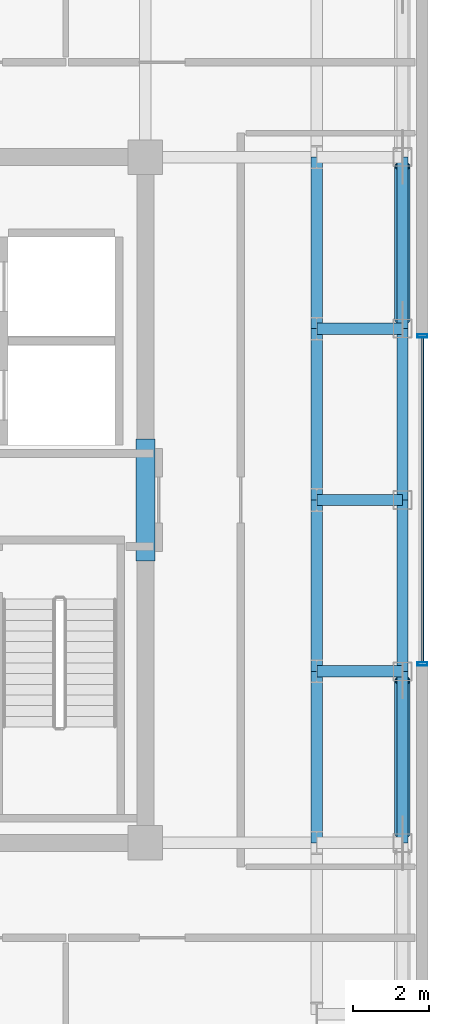
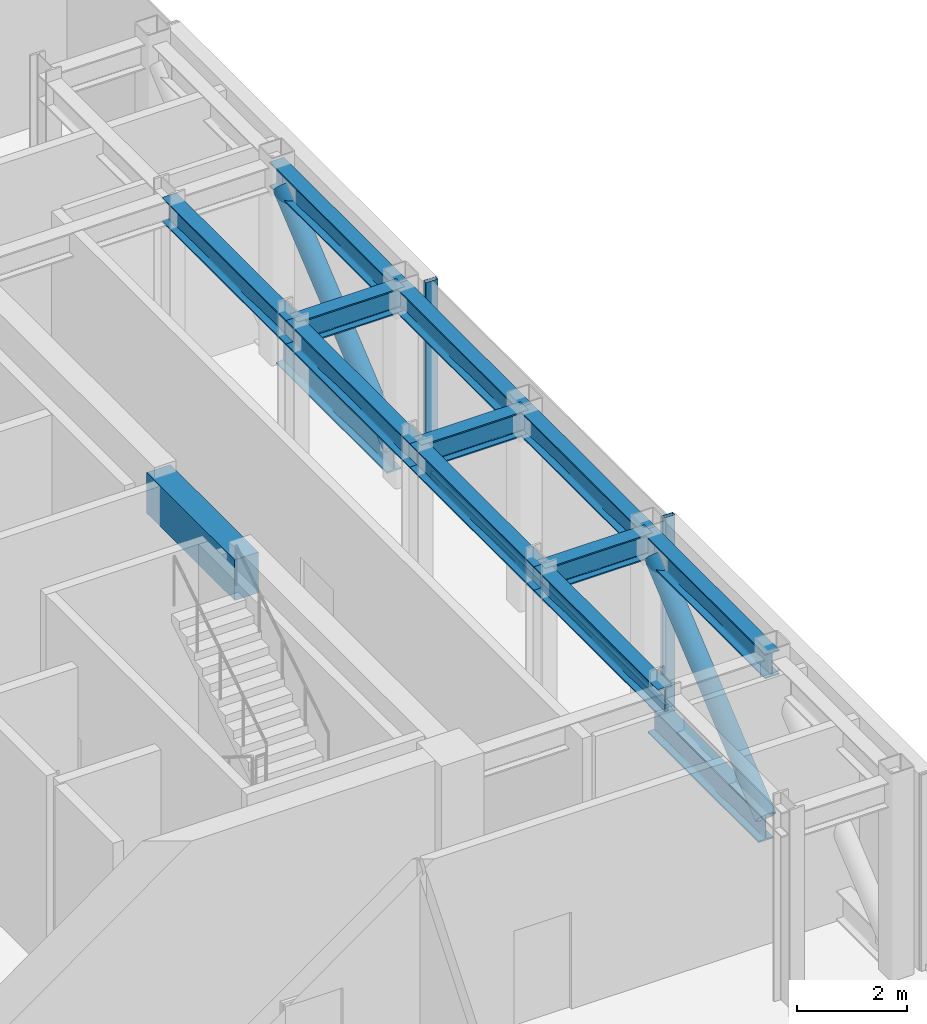
# One storey, part 8 of 18: 12 beams, 7 members, 1 element without a shape of its own.
"""IFC4 building model written with IfcOpenShell, lengths in metres."""

import ifcopenshell
import ifcopenshell.guid

model = None  # the IFC model being written
_history = None  # IfcOwnerHistory: only IFC2X3 demands one
_inside = {}  # id of a spatial element -> (the spatial element, [elements in it])
_under = {}  # id of a project, library or spatial element -> (it, [spatial elements below it])
_declared = {}  # id of a project -> (the project, [libraries it declares])
_typed = {}  # id of a type object -> (the type object, [elements of that type])
_made_of = {}  # id of a material, layer set ... -> (it, [elements and type objects made of it])


def new_model(schema):
    """Start an empty IFC model of exactly this schema.

    Asked for "IFC4X3", IfcOpenShell would pick the latest addendum, in which some entities
    have other attributes; the version numbers below select the first issue.
    IFC2X3 requires an IfcOwnerHistory on every rooted entity: one is made here for all.
    """
    global model, _history
    if schema == "IFC4X3":
        model = ifcopenshell.file(schema_version=(4, 3, 0, 0))
    else:
        model = ifcopenshell.file(schema=schema)
    _inside.clear()
    _under.clear()
    _declared.clear()
    _typed.clear()
    _made_of.clear()
    _history = None
    if model.schema == "IFC2X3":
        org = make("IfcOrganization", Name="unknown")
        user = make(
            "IfcPersonAndOrganization",
            ThePerson=make("IfcPerson", FamilyName="unknown"),
            TheOrganization=org,
        )
        app = make(
            "IfcApplication",
            ApplicationDeveloper=org,
            Version="unknown",
            ApplicationFullName="unknown",
            ApplicationIdentifier="unknown",
        )
        _history = make(
            "IfcOwnerHistory",
            OwningUser=user,
            OwningApplication=app,
            ChangeAction="ADDED",
            CreationDate=0,
        )
    return model


def make(cls, **values):
    """One entity of the class cls with the attributes given. An attribute that is None is left unset."""
    return model.create_entity(
        cls, **{name: value for name, value in values.items() if value is not None}
    )


def rooted(cls, **values):
    """An entity with a GlobalId (a new one), such as an element, a storey or a relation."""
    return make(cls, GlobalId=ifcopenshell.guid.new(), OwnerHistory=_history, **values)


def si_unit(unit_type, name, prefix=None):
    """IfcSIUnit, for example si_unit("LENGTHUNIT", "METRE", prefix="MILLI")."""
    return make("IfcSIUnit", UnitType=unit_type, Prefix=prefix, Name=name)


def assignment(units):
    """IfcUnitAssignment: the units of a project."""
    return None if units is None else make("IfcUnitAssignment", Units=units)


def point(xyz):
    """IfcCartesianPoint."""
    return None if xyz is None else make("IfcCartesianPoint", Coordinates=xyz)


def direction(xyz):
    """IfcDirection."""
    return None if xyz is None else make("IfcDirection", DirectionRatios=xyz)


def frame(location, z_axis=None, x_axis=None):
    """IfcAxis2Placement3D, a coordinate frame: its origin and axes. An axis left out is left unset."""
    return make(
        "IfcAxis2Placement3D",
        Location=point(location),
        Axis=direction(z_axis),
        RefDirection=direction(x_axis),
    )


def frame_2d(location, x_axis=None):
    """IfcAxis2Placement2D, a coordinate frame in the plane: its origin and x axis."""
    return make(
        "IfcAxis2Placement2D", Location=point(location), RefDirection=direction(x_axis)
    )


def origin():
    """The frame at (0, 0, 0) with its axes left unset."""
    return frame((0.0, 0.0, 0.0))


def origin_2d():
    """The frame at (0, 0) in the plane with its x axis left unset."""
    return frame_2d((0.0, 0.0))


def place(relative_to, where):
    """IfcLocalPlacement: puts the frame where relative to a parent placement (None: the world)."""
    return make(
        "IfcLocalPlacement", PlacementRelTo=relative_to, RelativePlacement=where
    )


def context(
    kind, dimensions, precision=None, world=None, true_north=None, identifier=None
):
    """IfcGeometricRepresentationContext, for example the 3D "Model" context."""
    return make(
        "IfcGeometricRepresentationContext",
        ContextIdentifier=identifier,
        ContextType=kind,
        CoordinateSpaceDimension=dimensions,
        Precision=precision,
        WorldCoordinateSystem=world,
        TrueNorth=true_north,
    )


def subcontext(parent, identifier, kind, view, scale=None):
    """IfcGeometricRepresentationSubContext, for example "Body" below "Model"."""
    return make(
        "IfcGeometricRepresentationSubContext",
        ContextIdentifier=identifier,
        ContextType=kind,
        ParentContext=parent,
        TargetScale=scale,
        TargetView=view,
    )


def project(units=None, contexts=None):
    """IfcProject with its units and contexts."""
    return rooted(
        "IfcProject",
        Name="project",
        RepresentationContexts=contexts,
        UnitsInContext=assignment(units),
    )


def spatial(cls, under=None, at=None, **own):
    """A site, building, storey or space (cls), placed at a placement, below another one or the project."""
    s = rooted(cls, ObjectPlacement=at, **own)
    if under is not None:
        _under.setdefault(under.id(), (under, []))[1].append(s)
    return s


def profile(cls, at=None, kind="AREA", **sizes):
    """A parametric profile (cls). Its sizes go by their IFC names, for example OverallWidth=200.0."""
    return make(cls, ProfileType=kind, Position=at, **sizes)


def rectangle(**sizes):
    """IfcRectangleProfileDef."""
    return profile("IfcRectangleProfileDef", **sizes)


def hollow_rectangle(**sizes):
    """IfcRectangleHollowProfileDef."""
    return profile("IfcRectangleHollowProfileDef", **sizes)


def hollow_circle(**sizes):
    """IfcCircleHollowProfileDef."""
    return profile("IfcCircleHollowProfileDef", **sizes)


def i_section(**sizes):
    """IfcIShapeProfileDef."""
    return profile("IfcIShapeProfileDef", **sizes)


def extrude(swept, where, along, depth):
    """IfcExtrudedAreaSolid: the profile swept, set in the frame where, extruded along a direction by depth."""
    return make(
        "IfcExtrudedAreaSolid",
        SweptArea=swept,
        Position=where,
        ExtrudedDirection=direction(along),
        Depth=depth,
    )


def shape(context_of_items, identifier, shape_type, items):
    """IfcShapeRepresentation: the items that make up one representation, for example the "Body"."""
    return make(
        "IfcShapeRepresentation",
        ContextOfItems=context_of_items,
        RepresentationIdentifier=identifier,
        RepresentationType=shape_type,
        Items=items,
    )


def source(mapping_origin, context_of_items, identifier, shape_type, items):
    """IfcRepresentationMap: a shape defined once, which mapped items show again and again."""
    return make(
        "IfcRepresentationMap",
        MappingOrigin=mapping_origin,
        MappedRepresentation=shape(context_of_items, identifier, shape_type, items),
    )


def transform(
    local_origin,
    x_axis=None,
    y_axis=None,
    z_axis=None,
    scale=None,
    scale2=None,
    scale3=None,
    uniform=True,
):
    """IfcCartesianTransformationOperator3D, or its non-uniform kind. x_axis, y_axis, z_axis: its Axis1, 2, 3."""
    if uniform:
        return make(
            "IfcCartesianTransformationOperator3D",
            Axis1=direction(x_axis),
            Axis2=direction(y_axis),
            LocalOrigin=point(local_origin),
            Scale=scale,
            Axis3=direction(z_axis),
        )
    return make(
        "IfcCartesianTransformationOperator3DnonUniform",
        Axis1=direction(x_axis),
        Axis2=direction(y_axis),
        LocalOrigin=point(local_origin),
        Scale=scale,
        Axis3=direction(z_axis),
        Scale2=scale2,
        Scale3=scale3,
    )


def mapped(mapping_source, mapping_target):
    """IfcMappedItem: shows the shape of a source again, moved by a transform."""
    return make(
        "IfcMappedItem", MappingSource=mapping_source, MappingTarget=mapping_target
    )


def material(Name=None, Category=None):
    """IfcMaterial."""
    return make("IfcMaterial", Name=Name, Category=Category)


def layer(
    of_material, thickness, ventilated=None, Name=None, Category=None, Priority=None
):
    """IfcMaterialLayer: one layer of a wall or slab, of a material (None: an air gap)."""
    return make(
        "IfcMaterialLayer",
        Material=of_material,
        LayerThickness=thickness,
        IsVentilated=ventilated,
        Name=Name,
        Category=Category,
        Priority=Priority,
    )


def layer_set(layers, Name=None):
    """IfcMaterialLayerSet."""
    return make("IfcMaterialLayerSet", MaterialLayers=layers, LayerSetName=Name)


def material_profile(
    of_material, cross_section, Name=None, Category=None, Priority=None
):
    """IfcMaterialProfile: a cross section and its material."""
    return make(
        "IfcMaterialProfile",
        Name=Name,
        Material=of_material,
        Profile=cross_section,
        Priority=Priority,
        Category=Category,
    )


def profile_set(profiles, Name=None, composite=None):
    """IfcMaterialProfileSet."""
    return make(
        "IfcMaterialProfileSet",
        Name=Name,
        MaterialProfiles=profiles,
        CompositeProfile=composite,
    )


def made_of(thing, what):
    """Note that an element or type object is made of a material, layer set ...; save() writes the relation."""
    if what is not None:
        _made_of.setdefault(what.id(), (what, []))[1].append(thing)
    return thing


def type_object(cls, material=None, **own):
    """A type object (cls), such as IfcWallType, which elements share."""
    return made_of(rooted(cls, **own), material)


def element(
    cls,
    number,
    at=None,
    inside=None,
    cuts=None,
    type_object=None,
    material=None,
    context=None,
    identifier="Body",
    shape_type=None,
    held_by="IfcProductDefinitionShape",
    body=None,
    shapes=None,
    **own,
):
    """One element of the class cls, such as IfcWall. Its Tag is "e" and its number.

    at: its placement. inside: the storey or other place that contains it. cuts: it is an
    opening in that element (IfcRelVoidsElement). A single representation is given by context,
    identifier, shape_type and body (its items); several are given by shapes. held_by: the class
    of the entity that holds the representations. save() writes the other relations.
    """
    e = rooted(cls, Tag="e%d" % number, ObjectPlacement=at, **own)
    if body is not None:
        shapes = [shape(context, identifier, shape_type, body)]
    if shapes is not None:
        e.Representation = make(held_by, Representations=shapes)
    if inside is not None:
        _inside.setdefault(inside.id(), (inside, []))[1].append(e)
    if cuts is not None:
        rooted(
            "IfcRelVoidsElement", RelatingBuildingElement=cuts, RelatedOpeningElement=e
        )
    if type_object is not None:
        _typed.setdefault(type_object.id(), (type_object, []))[1].append(e)
    return made_of(e, material)


def aggregate(whole, parts):
    """IfcRelAggregates: a whole, such as a stair, and the parts it consists of."""
    return rooted("IfcRelAggregates", RelatingObject=whole, RelatedObjects=parts)


def save(model, path):
    """Write the relations noted so far, then the file.

    IfcRelAggregates (storeys below a building ...), IfcRelContainedInSpatialStructure (elements
    in a storey), IfcRelDefinesByType, IfcRelAssociatesMaterial and IfcRelDeclares: one each for
    every whole, place, type object, material and project.
    """
    for whole, parts in _under.values():
        aggregate(whole, parts)
    for where, things in _inside.values():
        rooted(
            "IfcRelContainedInSpatialStructure",
            RelatedElements=things,
            RelatingStructure=where,
        )
    for kind, things in _typed.values():
        rooted("IfcRelDefinesByType", RelatedObjects=things, RelatingType=kind)
    for what, things in _made_of.values():
        rooted("IfcRelAssociatesMaterial", RelatedObjects=things, RelatingMaterial=what)
    for by, libraries in _declared.values():
        rooted("IfcRelDeclares", RelatingContext=by, RelatedDefinitions=libraries)
    model.write(path)


model = new_model("IFC4")

# Units and contexts
model_context = context("Model", 3, precision=1e-05, world=origin(), true_north=direction((0.0, 1.0)))
body_context = subcontext(model_context, "Body", "Model", "MODEL_VIEW")
ifc_project = project(units=[si_unit("LENGTHUNIT", "METRE"), si_unit("AREAUNIT", "SQUARE_METRE"), si_unit("VOLUMEUNIT", "CUBIC_METRE"), si_unit("PLANEANGLEUNIT", "RADIAN"), si_unit("MASSUNIT", "GRAM", prefix="KILO")], contexts=[model_context])

# Site, building, storey
site_placement = place(None, origin())
site = spatial("IfcSite", under=ifc_project, at=site_placement, CompositionType="ELEMENT")
building_placement = place(site_placement, origin())
building = spatial("IfcBuilding", under=site, at=building_placement, Name="Nefas-Gora Pilgrimage Tower", CompositionType="ELEMENT")
storey_placement = place(building_placement, frame((0.0, 0.0, 317.800048828125)))
storey = spatial("IfcBuildingStorey", under=building, at=storey_placement, Name="L80", CompositionType="ELEMENT", Elevation=317.800048828125)

# Beams
ifc_material_1 = material(Name="Concrete C50/60", Category="concrete")
ifc_material_profile_1 = material_profile(ifc_material_1, rectangle(XDim=0.5, YDim=0.89990234375, at=origin_2d()), Name="RC 500x900")
ifc_profile_set_1 = profile_set([ifc_material_profile_1], Name="Concrete C50/60")
beam_type_1 = type_object("IfcBeamType", Name="BM-LIN-RC900", PredefinedType="LINTEL", material=ifc_profile_set_1)
shared_shape_1 = source(origin(), body_context, "Body", "SweptSolid", [
    extrude(rectangle(XDim=0.5, YDim=0.89990234375, at=origin_2d()), origin(), (0.0, 0.0, 1.0), 3.2001953125),
])
beam_placement = place(storey_placement, frame((11.25, -1.60009765625, 3.89990234375), z_axis=(0.0, 1.0, 0.0), x_axis=(-1.0, 0.0, 0.0)))
element("IfcBeam", 1, at=beam_placement, inside=storey, type_object=beam_type_1, Name="L80 Core Coupling Lintel Beam E", PredefinedType="LINTEL", context=body_context, shape_type="MappedRepresentation", body=[
    mapped(shared_shape_1, transform((0.0, 0.0, 0.0), x_axis=(1.0, 0.0, 0.0), y_axis=(0.0, 1.0, 0.0), z_axis=(0.0, 0.0, 1.0), scale=1.0)),
])
ifc_material_2 = material(Name="Steel S355", Category="steel")
ifc_material_profile_2 = material_profile(ifc_material_2, i_section(OverallWidth=0.300048828125, OverallDepth=0.550048828125, WebThickness=0.014892578125, FlangeThickness=0.029052734375, FilletRadius=0.027099609375, at=origin_2d()), Name="HEB 550")
ifc_profile_set_2 = profile_set([ifc_material_profile_2], Name="Steel S355")
beam_type_2 = type_object("IfcBeamType", Name="BM-SPN-HEB400", PredefinedType="SPANDREL", material=ifc_profile_set_2)
shared_shape_2 = source(origin(), body_context, "Body", "SweptSolid", [
    extrude(i_section(OverallWidth=0.300048828125, OverallDepth=0.550048828125, WebThickness=0.014892578125, FlangeThickness=0.029052734375, FilletRadius=0.027099609375, at=origin_2d()), origin(), (0.0, 0.0, 1.0), 4.5),
])
for number, where, z_axis, x_axis, name in (
    (2, (18.0, -9.0, 4.074951171875), (0.0, 1.0, 0.0), (-1.0, 0.0, 0.0), "L80 SP-04 beam"),
    (3, (18.0, -4.5, 4.074951171875), (0.0, 1.0, 0.0), (-1.0, 0.0, 0.0), "L80 SP-04 beam"),
    (4, (18.0, 0.0, 4.074951171875), (0.0, 1.0, 0.0), (-1.0, 0.0, 0.0), "L80 SP-04 beam"),
    (5, (18.0, 4.5, 4.074951171875), (0.0, 1.0, 0.0), (-1.0, 0.0, 0.0), "L80 SP-04 beam"),
):
    element("IfcBeam", number, at=place(storey_placement, frame(where, z_axis=z_axis, x_axis=x_axis)), inside=storey, type_object=beam_type_2, Name=name, PredefinedType="SPANDREL", context=body_context, shape_type="MappedRepresentation", body=[
        mapped(shared_shape_2, transform((0.0, 0.0, 0.0), x_axis=(1.0, 0.0, 0.0), y_axis=(0.0, 1.0, 0.0), z_axis=(0.0, 0.0, 1.0), scale=1.0)),
    ])
ifc_material_profile_3 = material_profile(ifc_material_2, i_section(OverallWidth=0.300048828125, OverallDepth=0.550048828125, WebThickness=0.014892578125, FlangeThickness=0.029052734375, FilletRadius=0.027099609375, at=origin_2d()), Name="HEB 550")
ifc_profile_set_3 = profile_set([ifc_material_profile_3], Name="Steel S355")
beam_type_3 = type_object("IfcBeamType", Name="BM-GIR-HEB550", PredefinedType="BEAM", material=ifc_profile_set_3)
shared_shape_3 = source(origin(), body_context, "Body", "SweptSolid", [
    extrude(i_section(OverallWidth=0.300048828125, OverallDepth=0.550048828125, WebThickness=0.014892578125, FlangeThickness=0.029052734375, FilletRadius=0.027099609375, at=origin_2d()), origin(), (0.0, 0.0, 1.0), 4.5),
])
for number, where, z_axis, x_axis, name in (
    (6, (15.75, -9.0, 4.074951171875), (0.0, 1.0, 0.0), (-1.0, 0.0, 0.0), "L80 G-05 beam"),
    (7, (15.75, -4.5, 4.074951171875), (0.0, 1.0, 0.0), (-1.0, 0.0, 0.0), "L80 G-05 beam"),
    (8, (15.75, 0.0, 4.074951171875), (0.0, 1.0, 0.0), (-1.0, 0.0, 0.0), "L80 G-05 beam"),
    (9, (15.75, 4.5, 4.074951171875), (0.0, 1.0, 0.0), (-1.0, 0.0, 0.0), "L80 G-05 beam"),
):
    element("IfcBeam", number, at=place(storey_placement, frame(where, z_axis=z_axis, x_axis=x_axis)), inside=storey, type_object=beam_type_3, Name=name, PredefinedType="BEAM", context=body_context, shape_type="MappedRepresentation", body=[
        mapped(shared_shape_3, transform((0.0, 0.0, 0.0), x_axis=(1.0, 0.0, 0.0), y_axis=(0.0, 1.0, 0.0), z_axis=(0.0, 0.0, 1.0), scale=1.0)),
    ])
shared_shape_4 = source(origin(), body_context, "Body", "SweptSolid", [
    extrude(i_section(OverallWidth=0.300048828125, OverallDepth=0.550048828125, WebThickness=0.014892578125, FlangeThickness=0.029052734375, FilletRadius=0.027099609375, at=origin_2d()), origin(), (0.0, 0.0, 1.0), 2.25),
])
for number, where, z_axis, x_axis, name in (
    (10, (15.75, -4.5, 4.074951171875), (1.0, 0.0, 0.0), (0.0, 1.0, 0.0), "L80 G-05 beam"),
    (11, (15.75, 0.0, 4.074951171875), (1.0, 0.0, 0.0), (0.0, 1.0, 0.0), "L80 G-05 beam"),
    (12, (15.75, 4.5, 4.074951171875), (1.0, 0.0, 0.0), (0.0, 1.0, 0.0), "L80 G-05 beam"),
):
    element("IfcBeam", number, at=place(storey_placement, frame(where, z_axis=z_axis, x_axis=x_axis)), inside=storey, type_object=beam_type_3, Name=name, PredefinedType="BEAM", context=body_context, shape_type="MappedRepresentation", body=[
        mapped(shared_shape_4, transform((0.0, 0.0, 0.0), x_axis=(1.0, 0.0, 0.0), y_axis=(0.0, 1.0, 0.0), z_axis=(0.0, 0.0, 1.0), scale=1.0)),
    ])

# Members
ifc_material_3 = material(Name="Steel S460", Category="steel")
ifc_material_profile_4 = material_profile(ifc_material_3, hollow_circle(Radius=0.203125, WallThickness=0.02490234375, at=origin_2d()), Name="CHS 406.4x25")
ifc_profile_set_4 = profile_set([ifc_material_profile_4], Name="Steel S460")
member_type_1 = type_object("IfcMemberType", Name="MEM-BELT-406", PredefinedType="BRACE", material=ifc_profile_set_4)
shared_shape_5 = source(origin(), body_context, "Body", "SweptSolid", [
    extrude(hollow_circle(Radius=0.203125, WallThickness=0.02490234375, at=origin_2d()), origin(), (0.0, 0.0, 1.0), 5.238037109375),
])
for number, where, z_axis, x_axis, name in (
    (13, (18.0, -8.761962890625, 0.54833984375), (0.0, 0.768221279597, 0.640184399664), (-1.0, 0.0, 0.0), "L80 Perimeter Belt-Truss Diagonal 6"),
    (14, (18.0, 4.738037109375, 0.54833984375), (0.0, 0.768221279597, 0.640184399664), (-1.0, 0.0, 0.0), "L80 Perimeter Belt-Truss Diagonal 7"),
):
    element("IfcMember", number, at=place(storey_placement, frame(where, z_axis=z_axis, x_axis=x_axis)), inside=storey, type_object=member_type_1, Name=name, PredefinedType="BRACE", context=body_context, shape_type="MappedRepresentation", body=[
        mapped(shared_shape_5, transform((0.0, 0.0, 0.0), x_axis=(1.0, 0.0, 0.0), y_axis=(0.0, 1.0, 0.0), z_axis=(0.0, 0.0, 1.0), scale=1.0)),
    ])
ifc_material_profile_5 = material_profile(ifc_material_3, i_section(OverallWidth=0.300048828125, OverallDepth=0.64990234375, WebThickness=0.01611328125, FlangeThickness=0.031005859375, FilletRadius=0.027099609375, at=origin_2d()), Name="HEB 650")
ifc_profile_set_5 = profile_set([ifc_material_profile_5], Name="Steel S460")
member_type_2 = type_object("IfcMemberType", Name="MEM-BELT-CHORD", PredefinedType="CHORD", material=ifc_profile_set_5)
shared_shape_6 = source(origin(), body_context, "Body", "SweptSolid", [
    extrude(i_section(OverallWidth=0.300048828125, OverallDepth=0.64990234375, WebThickness=0.01611328125, FlangeThickness=0.031005859375, FilletRadius=0.027099609375, at=origin_2d()), origin(), (0.0, 0.0, 1.0), 4.02392578125),
])
for number, where, z_axis, x_axis, name in (
    (15, (18.0, -8.761962890625, 0.349853515625), (0.0, 1.0, 0.0), (-1.0, 0.0, 0.0), "L80 Perimeter Belt-Truss Bottom Chord 6"),
    (16, (18.0, 4.738037109375, 0.349853515625), (0.0, 1.0, 0.0), (-1.0, 0.0, 0.0), "L80 Perimeter Belt-Truss Bottom Chord 7"),
):
    element("IfcMember", number, at=place(storey_placement, frame(where, z_axis=z_axis, x_axis=x_axis)), inside=storey, type_object=member_type_2, Name=name, PredefinedType="CHORD", context=body_context, shape_type="MappedRepresentation", body=[
        mapped(shared_shape_6, transform((0.0, 0.0, 0.0), x_axis=(1.0, 0.0, 0.0), y_axis=(0.0, 1.0, 0.0), z_axis=(0.0, 0.0, 1.0), scale=1.0)),
    ])

# Curtain wall, members
ifc_material_4 = material(Name="Dark ceramic-fritted solar-control aluminium-glass curtain wall", Category="aluminium")
ifc_layer = layer(ifc_material_4, 0.219970703125)
ifc_layer_set = layer_set([ifc_layer], Name="Dark ceramic-fritted solar-control aluminium-glass curtain wall")
curtain_wall_type = type_object("IfcCurtainWallType", Name="CW-SYS-4", PredefinedType="NOTDEFINED", material=ifc_layer_set)
curtain_wall_placement = place(storey_placement, origin())
curtain_wall = element("IfcCurtainWall", 17, at=curtain_wall_placement, inside=storey, type_object=curtain_wall_type, Name="L80 Unitised Curtain Wall CW4", PredefinedType="NOTDEFINED")
ifc_material_5 = material(Name="Anodised architectural aluminium", Category="aluminium")
ifc_material_profile_6 = material_profile(ifc_material_5, hollow_rectangle(XDim=0.080078125, YDim=0.159912109375, WallThickness=0.00439453125, InnerFilletRadius=0.00439453125, OuterFilletRadius=0.009033203125, at=origin_2d()), Name="ALU TRANSOM 80x160")
ifc_profile_set_6 = profile_set([ifc_material_profile_6], Name="Anodised architectural aluminium")
member_type_3 = type_object("IfcMemberType", Name="CWM-TRN-4", PredefinedType="USERDEFINED", material=ifc_profile_set_6)
shared_shape_7 = source(origin(), body_context, "Body", "SweptSolid", [
    extrude(hollow_rectangle(XDim=0.080078125, YDim=0.159912109375, WallThickness=0.00439453125, InnerFilletRadius=0.00439453125, OuterFilletRadius=0.009033203125, at=origin_2d()), origin(), (0.0, 0.0, 1.0), 8.52001953125),
])
member_1_placement = place(storey_placement, frame((18.52001953125, -4.260009765625, 0.050048828125), z_axis=(0.0, 1.0, 0.0), x_axis=(-1.0, 0.0, 0.0)))
member_1 = element("IfcMember", 18, at=member_1_placement, type_object=member_type_3, Name="CW4 Spandrel Transom", ObjectType="TRANSOM", PredefinedType="USERDEFINED", context=body_context, shape_type="MappedRepresentation", body=[
    mapped(shared_shape_7, transform((0.0, 0.0, 0.0), x_axis=(1.0, 0.0, 0.0), y_axis=(0.0, 1.0, 0.0), z_axis=(0.0, 0.0, 1.0), scale=1.0)),
])
ifc_material_profile_7 = material_profile(ifc_material_5, hollow_rectangle(XDim=0.090087890625, YDim=0.260009765625, WallThickness=0.006103515625, InnerFilletRadius=0.006103515625, OuterFilletRadius=0.011962890625, at=origin_2d()), Name="ALU MULLION 90x260")
ifc_profile_set_7 = profile_set([ifc_material_profile_7], Name="Anodised architectural aluminium")
member_type_4 = type_object("IfcMemberType", Name="CWM-MUL-4", PredefinedType="MULLION", material=ifc_profile_set_7)
shared_shape_8 = source(origin(), body_context, "Body", "SweptSolid", [
    extrude(hollow_rectangle(XDim=0.090087890625, YDim=0.260009765625, WallThickness=0.006103515625, InnerFilletRadius=0.006103515625, OuterFilletRadius=0.011962890625, at=origin_2d()), origin(), (0.0, 0.0, 1.0), 4.349853515625),
])
member_2_placement = place(storey_placement, frame((18.52001953125, -4.304931640625, 0.0), z_axis=(0.0, 0.0, 1.0), x_axis=(0.0, 1.0, 0.0)))
member_2 = element("IfcMember", 19, at=member_2_placement, type_object=member_type_4, Name="CW4 Mullion 1", PredefinedType="MULLION", context=body_context, shape_type="MappedRepresentation", body=[
    mapped(shared_shape_8, transform((0.0, 0.0, 0.0), x_axis=(1.0, 0.0, 0.0), y_axis=(0.0, 1.0, 0.0), z_axis=(0.0, 0.0, 1.0), scale=1.0)),
])
member_3_placement = place(storey_placement, frame((18.52001953125, 4.304931640625, 0.0), z_axis=(0.0, 0.0, 1.0), x_axis=(0.0, 1.0, 0.0)))
member_3 = element("IfcMember", 20, at=member_3_placement, type_object=member_type_4, Name="CW4 Mullion 2", PredefinedType="MULLION", context=body_context, shape_type="MappedRepresentation", body=[
    mapped(shared_shape_8, transform((0.0, 0.0, 0.0), x_axis=(1.0, 0.0, 0.0), y_axis=(0.0, 1.0, 0.0), z_axis=(0.0, 0.0, 1.0), scale=1.0)),
])
aggregate(curtain_wall, [member_2, member_3, member_1])

save(model, "model.ifc")
